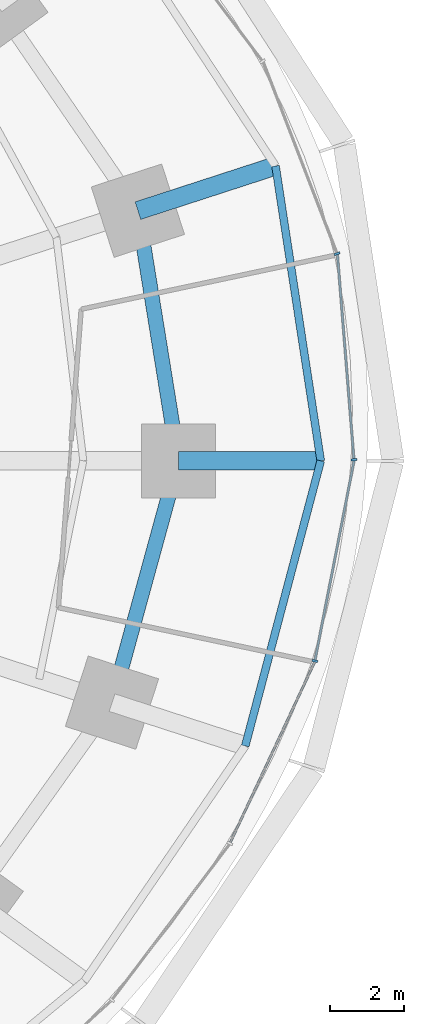
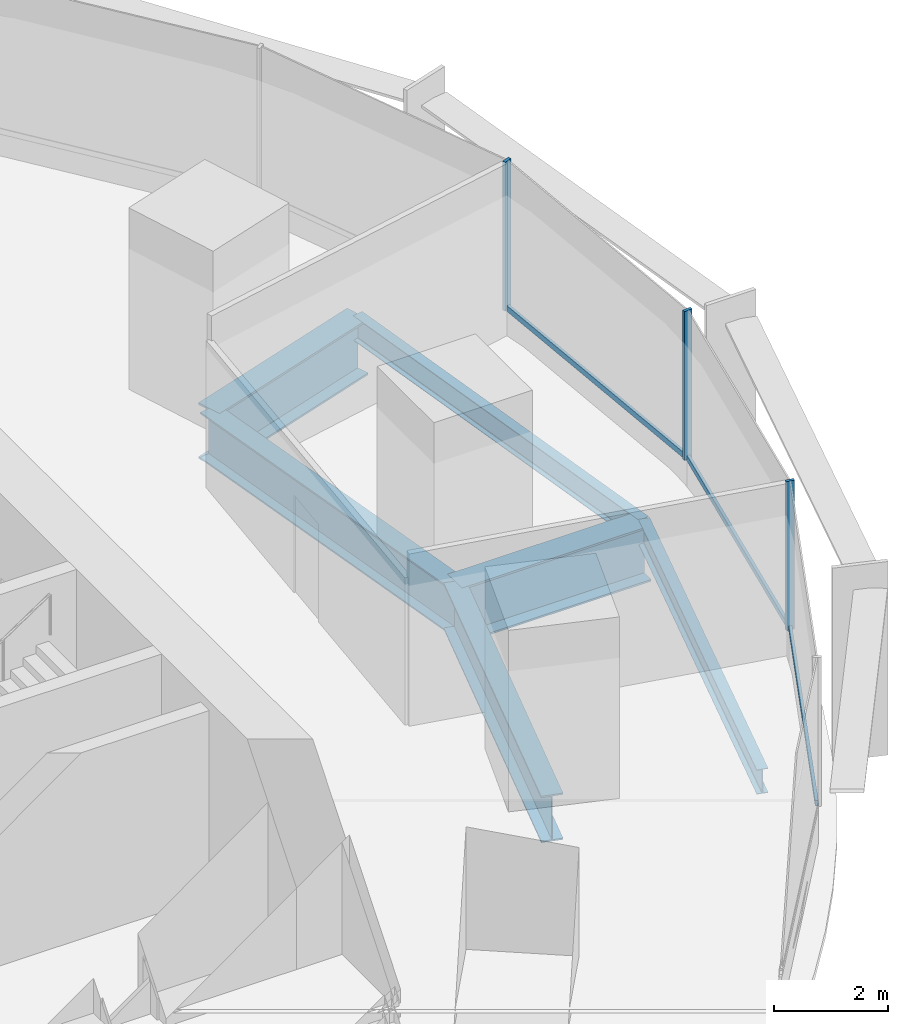
# One storey, part 6 of 15: 6 beams, 6 members, 2 elements without a shape of their own.
"""IFC4 building model written with IfcOpenShell, lengths in metres."""

from ifc_helpers import new_model, si_unit, direction, frame, origin, origin_2d, place, context, subcontext, project, spatial, rectangle, i_section, extrude, material, material_profile, profile_set, type_object, element, aggregate, save


model = new_model("IFC4")

# Units and contexts
model_context = context("Model", 3, precision=1e-05, world=origin(), true_north=direction((0.0, 1.0)))
body_context = subcontext(model_context, "Body", "Model", "MODEL_VIEW")
ifc_project = project(units=[si_unit("LENGTHUNIT", "METRE"), si_unit("AREAUNIT", "SQUARE_METRE"), si_unit("VOLUMEUNIT", "CUBIC_METRE"), si_unit("PLANEANGLEUNIT", "RADIAN"), si_unit("MASSUNIT", "GRAM", prefix="KILO")], contexts=[model_context])

# Site, building, storey
site_placement = place(None, origin())
site = spatial("IfcSite", under=ifc_project, at=site_placement, CompositionType="ELEMENT")
building_placement = place(site_placement, origin())
building = spatial("IfcBuilding", under=site, at=building_placement, Name="Marramba Exchange Tower", CompositionType="ELEMENT")
storey_placement = place(building_placement, frame((0.0, 0.0, 82.60009765625)))
storey = spatial("IfcBuildingStorey", under=building, at=storey_placement, Name="L19", CompositionType="ELEMENT", Elevation=82.60009765625)

# Beams
ifc_material_1 = material(Name="Steel AS/NZS 3679.2 grade 300", Category="steel")
ifc_material_profile_1 = material_profile(ifc_material_1, i_section(OverallWidth=0.5, OverallDepth=1.199951171875, WebThickness=0.01611328125, FlangeThickness=0.0400390625, at=origin_2d()), Name="1200WB455")
ifc_profile_set_1 = profile_set([ifc_material_profile_1], Name="Steel AS/NZS 3679.2 grade 300")
beam_type_1 = type_object("IfcBeamType", Name="Cantilever girder 1200WB455", PredefinedType="BEAM", material=ifc_profile_set_1)
beam_1_placement = place(storey_placement, frame((21.89990234375, 0.0, -0.760009765625), z_axis=(1.0, 0.0, 0.0), x_axis=(0.0, 1.0, 0.0)))
element("IfcBeam", 1, at=beam_1_placement, inside=storey, type_object=beam_type_1, Name="Cantilever girder L19 TC01", PredefinedType="BEAM", context=body_context, shape_type="SweptSolid", body=[
    extrude(i_section(OverallWidth=0.5, OverallDepth=1.199951171875, WebThickness=0.01611328125, FlangeThickness=0.0400390625, at=origin_2d()), origin(), (0.0, 0.0, 1.0), 3.85009765625),
])
beam_2_placement = place(storey_placement, frame((20.808349609375, 6.760986328125, -0.760009765625), z_axis=(0.951058833549, 0.309009862508, 0.0), x_axis=(-0.309009862508, 0.951058833549, 0.0)))
element("IfcBeam", 2, at=beam_2_placement, inside=storey, type_object=beam_type_1, Name="Cantilever girder L19 TC02", PredefinedType="BEAM", context=body_context, shape_type="SweptSolid", body=[
    extrude(i_section(OverallWidth=0.5, OverallDepth=1.199951171875, WebThickness=0.01611328125, FlangeThickness=0.0400390625, at=origin_2d()), origin(), (0.0, 0.0, 1.0), 3.91162109375),
])
ifc_material_profile_2 = material_profile(ifc_material_1, i_section(OverallWidth=0.39990234375, OverallDepth=1.0, WebThickness=0.01611328125, FlangeThickness=0.031982421875, at=origin_2d()), Name="1000WB322")
ifc_profile_set_2 = profile_set([ifc_material_profile_2], Name="Steel AS/NZS 3679.2 grade 300")
beam_type_2 = type_object("IfcBeamType", Name="Ring beam 1000WB322", PredefinedType="SPANDREL", material=ifc_profile_set_2)
beam_3_placement = place(storey_placement, frame((21.89990234375, 0.0, -0.66015625), z_axis=(-0.159384865399, 0.987216523708, 0.0), x_axis=(-0.987216523708, -0.159384865399, 0.0)))
element("IfcBeam", 3, at=beam_3_placement, inside=storey, type_object=beam_type_2, Name="Ring beam L19 TC01-TC02", PredefinedType="SPANDREL", context=body_context, shape_type="SweptSolid", body=[
    extrude(i_section(OverallWidth=0.39990234375, OverallDepth=1.0, WebThickness=0.01611328125, FlangeThickness=0.031982421875, at=origin_2d()), origin(), (0.0, 0.0, 1.0), 6.8486328125),
])
beam_4_placement = place(storey_placement, frame((20.109375, -6.533935546875, -0.66015625), z_axis=(0.264291166956, 0.964442937176, 0.0), x_axis=(-0.964442937176, 0.264291166956, 0.0)))
element("IfcBeam", 4, at=beam_4_placement, inside=storey, type_object=beam_type_2, Name="Ring beam L19 TC20-TC01", PredefinedType="SPANDREL", context=body_context, shape_type="SweptSolid", body=[
    extrude(i_section(OverallWidth=0.39990234375, OverallDepth=1.0, WebThickness=0.01611328125, FlangeThickness=0.031982421875, at=origin_2d()), origin(), (0.0, 0.0, 1.0), 6.77490234375),
])
ifc_material_2 = material(Name="Steel AS/NZS 3679.1 grade 300", Category="steel")
ifc_material_profile_3 = material_profile(ifc_material_2, i_section(OverallWidth=0.208984375, OverallDepth=0.528076171875, WebThickness=0.009521484375, FlangeThickness=0.01318359375, FilletRadius=0.013916015625, at=origin_2d()), Name="530UB82.0")
ifc_profile_set_3 = profile_set([ifc_material_profile_3], Name="Steel AS/NZS 3679.1 grade 300")
beam_type_3 = type_object("IfcBeamType", Name="Slab edge beam 530UB82.0", PredefinedType="SPANDREL", material=ifc_profile_set_3)
beam_5_placement = place(storey_placement, frame((25.75, 0.0, -0.424072265625), z_axis=(-0.151490591645, 0.988458699513, 0.0), x_axis=(-0.988458699513, -0.151490591645, 0.0)))
element("IfcBeam", 5, at=beam_5_placement, inside=storey, type_object=beam_type_3, Name="Slab edge beam L19 TC01-TC02", PredefinedType="SPANDREL", context=body_context, shape_type="SweptSolid", body=[
    extrude(i_section(OverallWidth=0.208984375, OverallDepth=0.528076171875, WebThickness=0.009521484375, FlangeThickness=0.01318359375, FilletRadius=0.013916015625, at=origin_2d()), origin(), (0.0, 0.0, 1.0), 8.062744140625),
])
beam_6_placement = place(storey_placement, frame((23.709716796875, -7.703857421875, -0.424072265625), z_axis=(0.25601296674, 0.966673347549, 0.0), x_axis=(-0.966673347549, 0.25601296674, 0.0)))
element("IfcBeam", 6, at=beam_6_placement, inside=storey, type_object=beam_type_3, Name="Slab edge beam L19 TC20-TC01", PredefinedType="SPANDREL", context=body_context, shape_type="SweptSolid", body=[
    extrude(i_section(OverallWidth=0.208984375, OverallDepth=0.528076171875, WebThickness=0.009521484375, FlangeThickness=0.01318359375, FilletRadius=0.013916015625, at=origin_2d()), origin(), (0.0, 0.0, 1.0), 7.969482421875),
])

# Curtain wall, members
ifc_material_3 = material(Name="Aluminium framing, bronze anodised", Category="aluminium")
curtain_wall_type = type_object("IfcCurtainWallType", Name="Trading floor ribbon curtain wall", PredefinedType="USERDEFINED", material=ifc_material_3)
curtain_wall_1_placement = place(storey_placement, origin())
curtain_wall_1 = element("IfcCurtainWall", 7, at=curtain_wall_1_placement, inside=storey, type_object=curtain_wall_type, Name="Curtain wall CW3 L19 F01-F05", ObjectType="RIBBON CURTAIN WALL", PredefinedType="USERDEFINED")
ifc_material_4 = material(Name="Aluminium mullion, bronze anodised", Category="aluminium")
ifc_material_profile_4 = material_profile(ifc_material_4, rectangle(XDim=0.159912109375, YDim=0.06005859375, at=origin_2d()), Name="CW3 mullion 60x160")
ifc_profile_set_4 = profile_set([ifc_material_profile_4], Name="Aluminium mullion, bronze anodised")
member_type_1 = type_object("IfcMemberType", Name="Trading floor ribbon curtain wall mullion", PredefinedType="MULLION", material=ifc_profile_set_4)
member_1_placement = place(storey_placement, frame((26.647705078125, 0.02978515625, 0.7998046875), z_axis=(0.0, 0.0, 1.0), x_axis=(-0.996772736434, -0.080275225953, 0.0)))
member_1 = element("IfcMember", 8, at=member_1_placement, type_object=member_type_1, Name="CW3 mullion 1", PredefinedType="MULLION", context=body_context, shape_type="SweptSolid", body=[
    extrude(rectangle(XDim=0.159912109375, YDim=0.06005859375, at=origin_2d()), origin(), (0.0, 0.0, 1.0), 3.2001953125),
])
member_2_placement = place(storey_placement, frame((26.190673828125, 5.597412109375, 0.7998046875), z_axis=(0.0, 0.0, 1.0), x_axis=(-0.933135256626, -0.359525510698, 0.0)))
member_2 = element("IfcMember", 9, at=member_2_placement, type_object=member_type_1, Name="CW3 mullion 1", PredefinedType="MULLION", context=body_context, shape_type="SweptSolid", body=[
    extrude(rectangle(XDim=0.159912109375, YDim=0.06005859375, at=origin_2d()), origin(), (0.0, 0.0, 1.0), 3.2001953125),
])

# Curtain wall, member
curtain_wall_2_placement = place(storey_placement, origin())
curtain_wall_2 = element("IfcCurtainWall", 10, at=curtain_wall_2_placement, inside=storey, type_object=curtain_wall_type, Name="Curtain wall CW3 L19 F26-F30", ObjectType="RIBBON CURTAIN WALL", PredefinedType="USERDEFINED")
member_3_placement = place(storey_placement, frame((25.59033203125, -5.40869140625, 0.7998046875), z_axis=(0.0, 0.0, 1.0), x_axis=(-0.981346261612, 0.1922485756, 0.0)))
member_3 = element("IfcMember", 11, at=member_3_placement, type_object=member_type_1, Name="CW3 mullion 1", PredefinedType="MULLION", context=body_context, shape_type="SweptSolid", body=[
    extrude(rectangle(XDim=0.159912109375, YDim=0.06005859375, at=origin_2d()), origin(), (0.0, 0.0, 1.0), 3.2001953125),
])

# Member
ifc_material_5 = material(Name="Aluminium transom, bronze anodised", Category="aluminium")
ifc_material_profile_5 = material_profile(ifc_material_5, rectangle(XDim=0.06005859375, YDim=0.1201171875, at=origin_2d()), Name="CW3 transom 60x120")
ifc_profile_set_5 = profile_set([ifc_material_profile_5], Name="Aluminium transom, bronze anodised")
member_type_2 = type_object("IfcMemberType", Name="Trading floor ribbon curtain wall transom", PredefinedType="USERDEFINED", material=ifc_profile_set_5)
member_4_placement = place(storey_placement, frame((26.645263671875, 0.059814453125, 0.829833984375), z_axis=(-0.080299960686, 0.99677074411, 0.0), x_axis=(-0.99677074411, -0.080299960686, 0.0)))
member_4 = element("IfcMember", 12, at=member_4_placement, type_object=member_type_2, Name="CW3 sill transom", ObjectType="TRANSOM", PredefinedType="USERDEFINED", context=body_context, shape_type="SweptSolid", body=[
    extrude(rectangle(XDim=0.06005859375, YDim=0.1201171875, at=origin_2d()), origin(), (0.0, 0.0, 1.0), 5.52734375),
])

aggregate(curtain_wall_1, [member_1, member_4, member_2])

member_5_placement = place(storey_placement, frame((23.306640625, -10.31103515625, 0.829833984375), z_axis=(0.423511514213, 0.905890720412, 0.0), x_axis=(-0.905890720412, 0.423511514213, 0.0)))
member_5 = element("IfcMember", 13, at=member_5_placement, type_object=member_type_2, Name="CW3 sill transom", ObjectType="TRANSOM", PredefinedType="USERDEFINED", context=body_context, shape_type="SweptSolid", body=[
    extrude(rectangle(XDim=0.06005859375, YDim=0.1201171875, at=origin_2d()), origin(), (0.0, 0.0, 1.0), 5.37890625),
])

member_6_placement = place(storey_placement, frame((25.59619140625, -5.37939453125, 0.829833984375), z_axis=(0.192226081646, 0.981350667975, 0.0), x_axis=(-0.981350667975, 0.192226081646, 0.0)))
member_6 = element("IfcMember", 14, at=member_6_placement, type_object=member_type_2, Name="CW3 sill transom", ObjectType="TRANSOM", PredefinedType="USERDEFINED", context=body_context, shape_type="SweptSolid", body=[
    extrude(rectangle(XDim=0.06005859375, YDim=0.1201171875, at=origin_2d()), origin(), (0.0, 0.0, 1.0), 5.481689453125),
])

aggregate(curtain_wall_2, [member_5, member_3, member_6])

save(model, "model.ifc")
